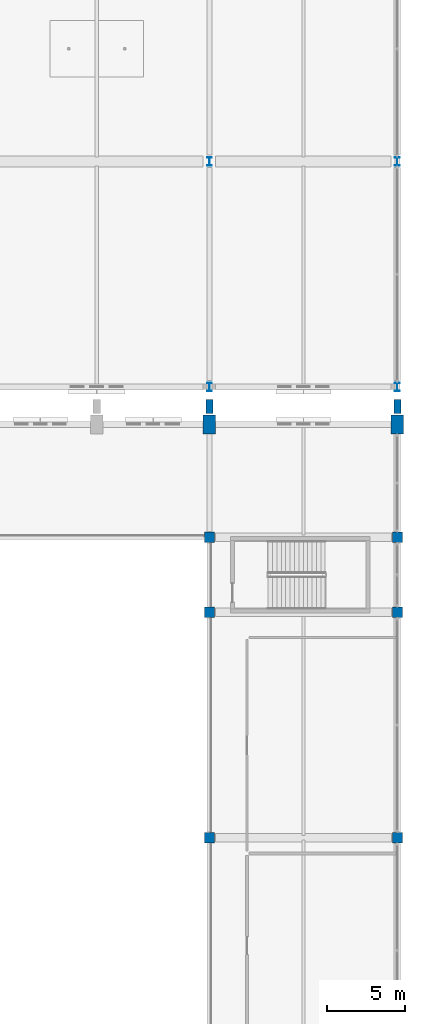
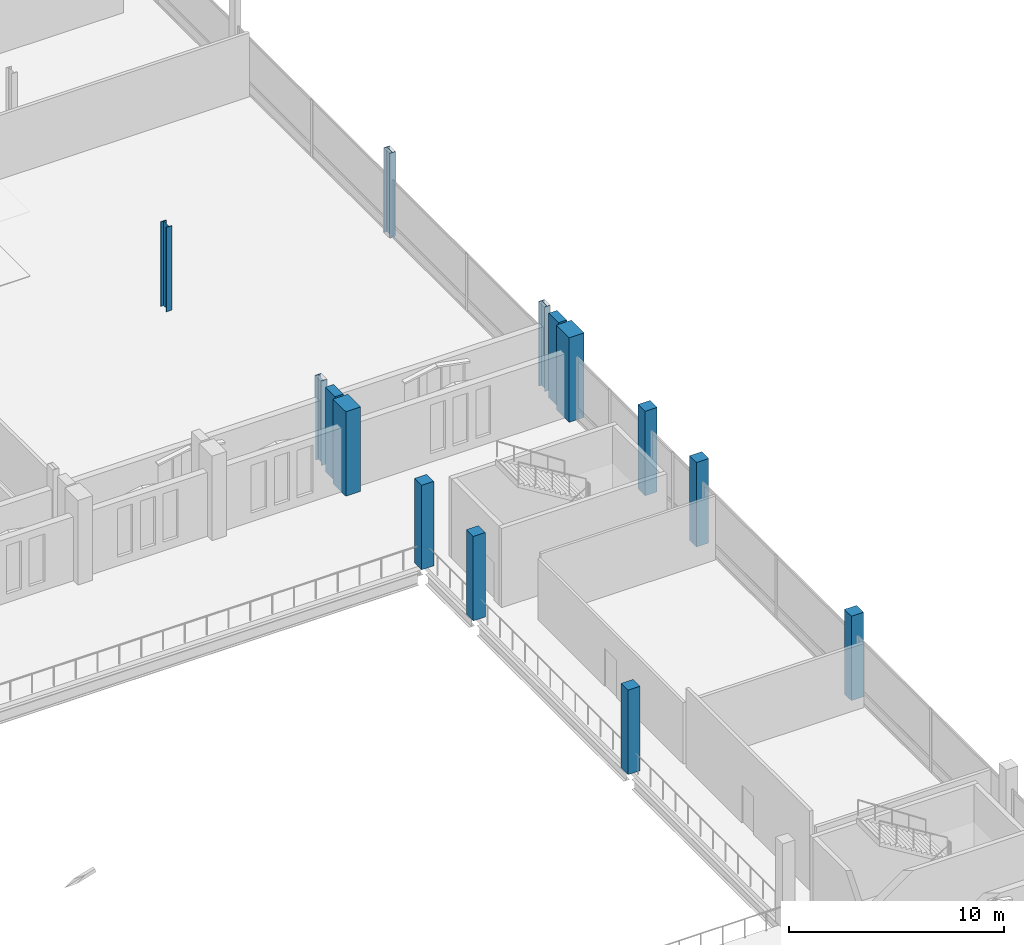
# One storey, part 19 of 220: 14 columns.
"""IFC4 building model written with IfcOpenShell, lengths in metres."""

from ifc_helpers import new_model, si_unit, direction, frame, origin, origin_2d, place, context, subcontext, project, spatial, rectangle, i_section, extrude, material, material_profile, profile_set, type_object, element, save


model = new_model("IFC4")

# Units and contexts
model_context = context("Model", 3, precision=1e-05, world=origin(), true_north=direction((0.0, 1.0)))
body_context = subcontext(model_context, "Body", "Model", "MODEL_VIEW")
ifc_project = project(units=[si_unit("LENGTHUNIT", "METRE"), si_unit("AREAUNIT", "SQUARE_METRE"), si_unit("VOLUMEUNIT", "CUBIC_METRE"), si_unit("PLANEANGLEUNIT", "RADIAN"), si_unit("MASSUNIT", "GRAM", prefix="KILO")], contexts=[model_context])

# Site, building, storey
site_placement = place(None, origin())
site = spatial("IfcSite", under=ifc_project, at=site_placement, CompositionType="ELEMENT")
building_placement = place(site_placement, origin())
building = spatial("IfcBuilding", under=site, at=building_placement, Name="Cendralis Lancet Convention Centre", CompositionType="ELEMENT")
storey_placement = place(building_placement, frame((0.0, 0.0, 5.39990234375)))
storey = spatial("IfcBuildingStorey", under=building, at=storey_placement, Name="L01", CompositionType="ELEMENT", Elevation=5.39990234375)

# Columns
ifc_material_1 = material(Name="Concrete G40 (C40/50)", Category="concrete")
ifc_material_profile_1 = material_profile(ifc_material_1, rectangle(XDim=0.64990234375, YDim=0.64990234375, at=origin_2d()), Name="RC 650x650")
ifc_profile_set_1 = profile_set([ifc_material_profile_1], Name="Concrete G40 (C40/50)")
column_type_1 = type_object("IfcColumnType", Name="STR-COL-C08", PredefinedType="COLUMN", material=ifc_profile_set_1)
for number, where, z_axis, x_axis, name in (
    (1, (208.800048828125, 64.800048828125, 0.0), (0.0, 0.0, 1.0), (1.0, 0.0, 0.0), "L01 Column C08 at 208.8,64.8"),
    (2, (208.800048828125, 79.199951171875, 0.0), (0.0, 0.0, 1.0), (1.0, 0.0, 0.0), "L01 Column C08 at 208.8,79.2"),
    (3, (208.800048828125, 84.0, 0.0), (0.0, 0.0, 1.0), (1.0, 0.0, 0.0), "L01 Column C08 at 208.8,84.0"),
):
    element("IfcColumn", number, at=place(storey_placement, frame(where, z_axis=z_axis, x_axis=x_axis)), inside=storey, type_object=column_type_1, Name=name, PredefinedType="COLUMN", context=body_context, shape_type="SweptSolid", body=[
        extrude(rectangle(XDim=0.64990234375, YDim=0.64990234375, at=origin_2d()), origin(), (0.0, 0.0, 1.0), 4.800048828125),
    ])
ifc_material_profile_2 = material_profile(ifc_material_1, rectangle(XDim=0.64990234375, YDim=0.64990234375, at=origin_2d()), Name="RC 650x650")
ifc_profile_set_2 = profile_set([ifc_material_profile_2], Name="Concrete G40 (C40/50)")
column_type_2 = type_object("IfcColumnType", Name="STR-COL-C08-INT", PredefinedType="COLUMN", material=ifc_profile_set_2)
for number, where, z_axis, x_axis, name in (
    (4, (196.800048828125, 64.800048828125, 0.0), (0.0, 0.0, 1.0), (1.0, 0.0, 0.0), "L01 Column C08 at 196.8,64.8"),
    (5, (196.800048828125, 79.199951171875, 0.0), (0.0, 0.0, 1.0), (1.0, 0.0, 0.0), "L01 Column C08 at 196.8,79.2"),
    (6, (196.800048828125, 84.0, 0.0), (0.0, 0.0, 1.0), (1.0, 0.0, 0.0), "L01 Column C08 at 196.8,84.0"),
):
    element("IfcColumn", number, at=place(storey_placement, frame(where, z_axis=z_axis, x_axis=x_axis)), inside=storey, type_object=column_type_2, Name=name, PredefinedType="COLUMN", context=body_context, shape_type="SweptSolid", body=[
        extrude(rectangle(XDim=0.64990234375, YDim=0.64990234375, at=origin_2d()), origin(), (0.0, 0.0, 1.0), 4.800048828125),
    ])
ifc_material_profile_3 = material_profile(ifc_material_1, rectangle(XDim=0.800048828125, YDim=1.199951171875, at=origin_2d()), Name="RC 800x1200")
ifc_profile_set_3 = profile_set([ifc_material_profile_3], Name="Concrete G40 (C40/50)")
column_type_3 = type_object("IfcColumnType", Name="STR-COL-C15", PredefinedType="COLUMN", material=ifc_profile_set_3)
for number, where, z_axis, x_axis, name in (
    (7, (196.800048828125, 91.199951171875, 0.0), (0.0, 0.0, 1.0), (1.0, 0.0, 0.0), "L01 Column C15 at 196.8,91.2"),
    (8, (208.800048828125, 91.199951171875, 0.0), (0.0, 0.0, 1.0), (1.0, 0.0, 0.0), "L01 Column C15 at 208.8,91.2"),
):
    element("IfcColumn", number, at=place(storey_placement, frame(where, z_axis=z_axis, x_axis=x_axis)), inside=storey, type_object=column_type_3, Name=name, PredefinedType="COLUMN", context=body_context, shape_type="SweptSolid", body=[
        extrude(rectangle(XDim=0.800048828125, YDim=1.199951171875, at=origin_2d()), origin(), (0.0, 0.0, 1.0), 4.800048828125),
    ])
ifc_material_2 = material(Name="Steel S355", Category="steel")
ifc_material_profile_4 = material_profile(ifc_material_2, i_section(OverallWidth=0.300048828125, OverallDepth=0.550048828125, WebThickness=0.014892578125, FlangeThickness=0.029052734375, FilletRadius=0.027099609375, at=origin_2d()), Name="HEB 550")
ifc_profile_set_4 = profile_set([ifc_material_profile_4], Name="Steel S355")
column_type_4 = type_object("IfcColumnType", Name="STR-COL-C22", PredefinedType="COLUMN", material=ifc_profile_set_4)
for number, where, z_axis, x_axis, name in (
    (9, (196.800048828125, 93.60009765625, 0.0), (0.0, 0.0, 1.0), (1.0, 0.0, 0.0), "L01 Column C22 at 196.8,93.6"),
    (10, (208.800048828125, 93.60009765625, 0.0), (0.0, 0.0, 1.0), (1.0, 0.0, 0.0), "L01 Column C22 at 208.8,93.6"),
    (11, (208.800048828125, 108.0, 0.0), (0.0, 0.0, 1.0), (1.0, 0.0, 0.0), "L01 Column C22 at 208.8,108.0"),
):
    element("IfcColumn", number, at=place(storey_placement, frame(where, z_axis=z_axis, x_axis=x_axis)), inside=storey, type_object=column_type_4, Name=name, PredefinedType="COLUMN", context=body_context, shape_type="SweptSolid", body=[
        extrude(i_section(OverallWidth=0.300048828125, OverallDepth=0.550048828125, WebThickness=0.014892578125, FlangeThickness=0.029052734375, FilletRadius=0.027099609375, at=origin_2d()), origin(), (0.0, 0.0, 1.0), 4.800048828125),
    ])
ifc_material_profile_5 = material_profile(ifc_material_2, i_section(OverallWidth=0.300048828125, OverallDepth=0.550048828125, WebThickness=0.014892578125, FlangeThickness=0.029052734375, FilletRadius=0.027099609375, at=origin_2d()), Name="HEB 550")
ifc_profile_set_5 = profile_set([ifc_material_profile_5], Name="Steel S355")
column_type_5 = type_object("IfcColumnType", Name="STR-COL-C22-INT", PredefinedType="COLUMN", material=ifc_profile_set_5)
column_placement = place(storey_placement, frame((196.800048828125, 108.0, 0.0), z_axis=(0.0, 0.0, 1.0), x_axis=(1.0, 0.0, 0.0)))
element("IfcColumn", 12, at=column_placement, inside=storey, type_object=column_type_5, Name="L01 Column C22 at 196.8,108.0", PredefinedType="COLUMN", context=body_context, shape_type="SweptSolid", body=[
    extrude(i_section(OverallWidth=0.300048828125, OverallDepth=0.550048828125, WebThickness=0.014892578125, FlangeThickness=0.029052734375, FilletRadius=0.027099609375, at=origin_2d()), origin(), (0.0, 0.0, 1.0), 4.800048828125),
])
ifc_material_profile_6 = material_profile(ifc_material_1, rectangle(XDim=0.449951171875, YDim=0.89990234375, at=origin_2d()), Name="RC 450x900")
ifc_profile_set_6 = profile_set([ifc_material_profile_6], Name="Concrete G40 (C40/50)")
column_type_6 = type_object("IfcColumnType", Name="STR-PIL-PL02", PredefinedType="PILASTER", material=ifc_profile_set_6)
for number, where, z_axis, x_axis, name in (
    (13, (196.800048828125, 92.360107421875, 0.0), (0.0, 0.0, 1.0), (1.0, 0.0, 0.0), "L01 Column PL02 at 196.8,92.4"),
    (14, (208.800048828125, 92.360107421875, 0.0), (0.0, 0.0, 1.0), (1.0, 0.0, 0.0), "L01 Column PL02 at 208.8,92.4"),
):
    element("IfcColumn", number, at=place(storey_placement, frame(where, z_axis=z_axis, x_axis=x_axis)), inside=storey, type_object=column_type_6, Name=name, PredefinedType="PILASTER", context=body_context, shape_type="SweptSolid", body=[
        extrude(rectangle(XDim=0.449951171875, YDim=0.89990234375, at=origin_2d()), origin(), (0.0, 0.0, 1.0), 4.800048828125),
    ])

save(model, "model.ifc")
